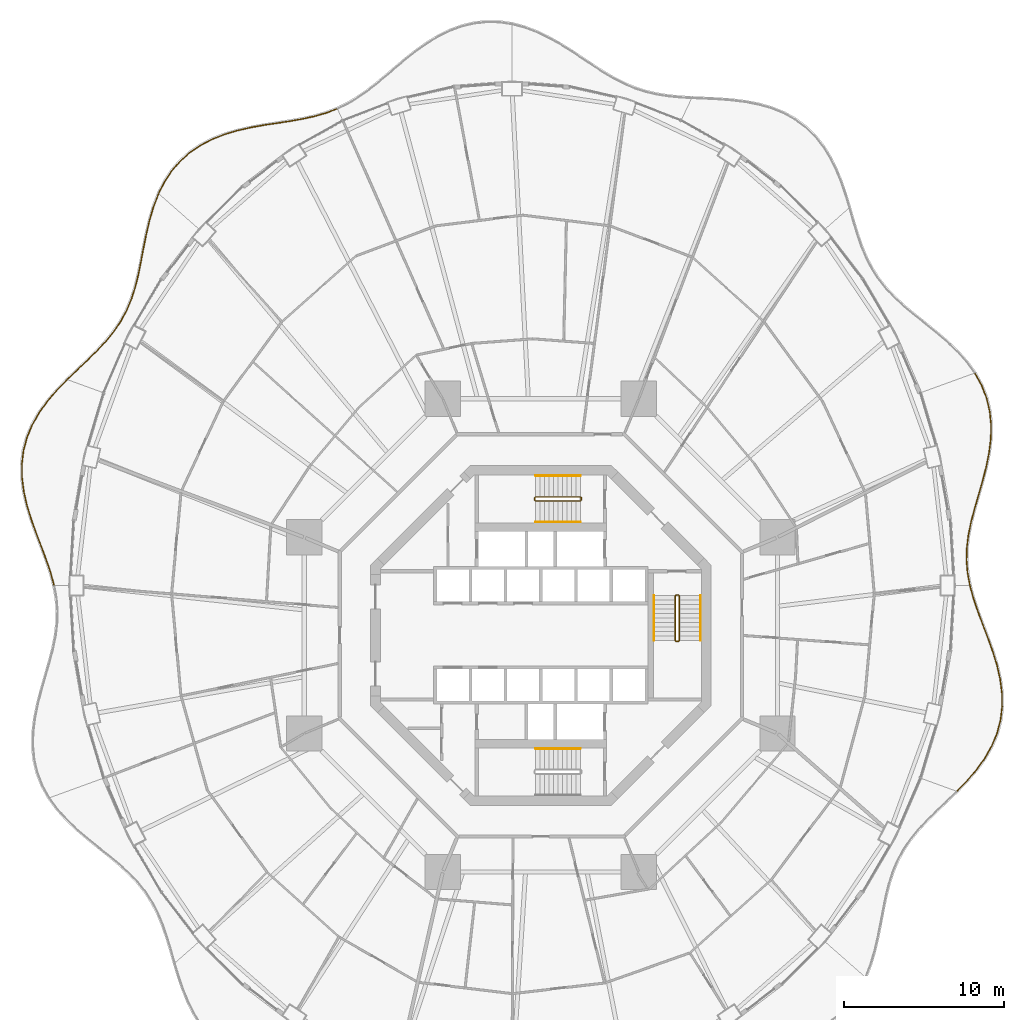
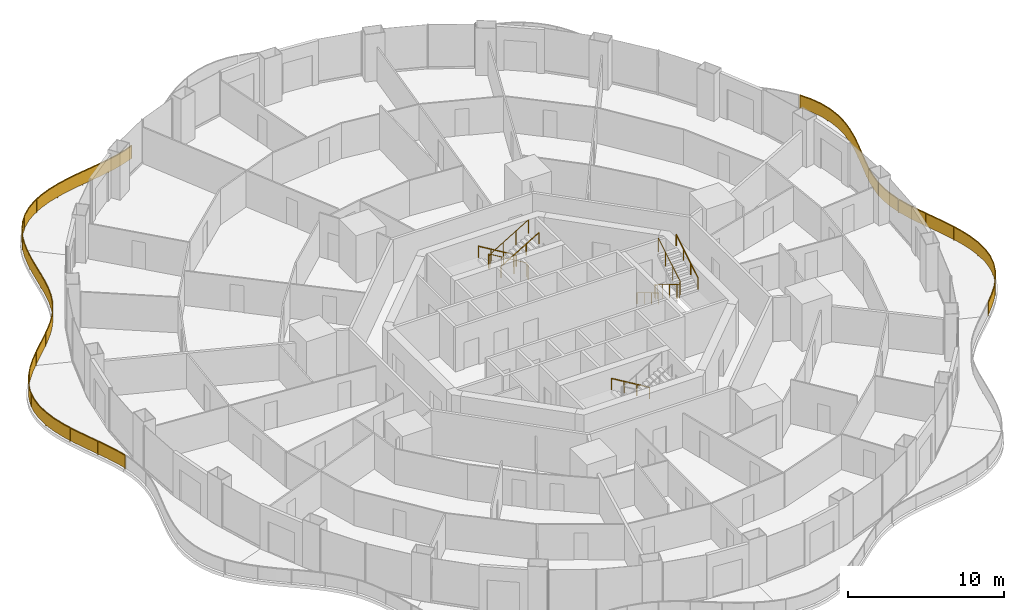
# One storey, part 21 of 22: 12 railings.
"""IFC4 building model written with IfcOpenShell, lengths in metres."""

from ifc_helpers import new_model, si_unit, direction, frame, origin, origin_2d, place, context, subcontext, project, spatial, polyline, rectangle, circle, outline, extrude, material, type_object, element, save


model = new_model("IFC4")

# Units and contexts
model_context = context("Model", 3, precision=1e-05, world=origin(), true_north=direction((0.0, 1.0)))
body_context = subcontext(model_context, "Body", "Model", "MODEL_VIEW")
ifc_project = project(units=[si_unit("LENGTHUNIT", "METRE"), si_unit("AREAUNIT", "SQUARE_METRE"), si_unit("VOLUMEUNIT", "CUBIC_METRE"), si_unit("PLANEANGLEUNIT", "RADIAN"), si_unit("MASSUNIT", "GRAM", prefix="KILO")], contexts=[model_context])

# Site, building, storey
site_placement = place(None, origin())
site = spatial("IfcSite", under=ifc_project, at=site_placement, CompositionType="ELEMENT")
building_placement = place(site_placement, origin())
building = spatial("IfcBuilding", under=site, at=building_placement, Name="Nagisa Residences", CompositionType="ELEMENT")
storey_placement = place(building_placement, frame((0.0, 0.0, 80.699951171875)))
storey = spatial("IfcBuildingStorey", under=building, at=storey_placement, Name="L19", CompositionType="ELEMENT", Elevation=80.699951171875)

# Railings
ifc_material_1 = material(Name="Stainless steel 316", Category="steel")
railing_type_1 = type_object("IfcRailingType", Name="BALCONY GUARD 1100", PredefinedType="BALUSTRADE", material=ifc_material_1)
railing_1_placement = place(storey_placement, frame((26.79345703125, 3.15234375, 0.0)))
element("IfcRailing", 1, at=railing_1_placement, inside=storey, type_object=railing_type_1, Name="guard:L19:bal00-0", PredefinedType="BALUSTRADE", context=body_context, shape_type="SweptSolid", body=[
    extrude(outline(polyline([(-0.162353515625, 0.743408203125), (-0.024658203125, -0.004638671875), (0.024658203125, 0.004638671875), (-0.112548828125, 0.749755859375), (-0.17626953125, 1.533447265625), (-0.156982421875, 2.32080078125), (-0.058837890625, 3.11865234375), (0.10693359375, 3.931884765625), (0.32470703125, 4.749267578125), (0.570068359375, 5.599609375), (0.819580078125, 6.4677734375), (1.047119140625, 7.349609375), (1.22705078125, 8.239501953125), (1.3388671875, 9.115966796875), (1.35693359375, 9.997314453125), (1.26953125, 10.860107421875), (1.069091796875, 11.695556640625), (0.75390625, 12.4951171875), (0.3515625, 13.211669921875), (0.30810546875, 13.187255859375), (0.70849609375, 12.4736328125), (1.021240234375, 11.680419921875), (1.22021484375, 10.851806640625), (1.306640625, 9.995361328125), (1.2890625, 9.119873046875), (1.177734375, 8.247802734375), (0.998291015625, 7.36083984375), (0.771240234375, 6.48095703125), (0.522216796875, 5.61328125), (0.2763671875, 4.762451171875), (0.05810546875, 3.943115234375), (-0.108154296875, 3.126953125), (-0.206787109375, 2.32470703125), (-0.2265625, 1.531982421875), (-0.162353515625, 0.743408203125)])), frame((0.0, 0.0, 1.050048828125)), (0.0, 0.0, 1.0), 0.050048828125),
    extrude(outline(polyline([(-0.144287109375, 0.74560546875), (-0.0068359375, -0.001220703125), (0.0068359375, 0.001220703125), (-0.130615234375, 0.74755859375), (-0.1943359375, 1.532958984375), (-0.1748046875, 2.322265625), (-0.07666015625, 3.12158203125), (0.08935546875, 3.935791015625), (0.307373046875, 4.75390625), (0.552978515625, 5.6044921875), (0.80224609375, 6.472412109375), (1.029541015625, 7.353759765625), (1.209228515625, 8.242431640625), (1.321044921875, 9.117431640625), (1.3388671875, 9.99658203125), (1.251708984375, 10.857177734375), (1.0517578125, 11.690185546875), (0.737548828125, 12.4873046875), (0.3359375, 13.202880859375), (0.32373046875, 13.196044921875), (0.724853515625, 12.4814453125), (1.03857421875, 11.685791015625), (1.238037109375, 10.854736328125), (1.32470703125, 9.99609375), (1.306884765625, 9.118408203125), (1.195556640625, 8.244873046875), (1.015869140625, 7.356689453125), (0.78857421875, 6.476318359375), (0.539306640625, 5.6083984375), (0.293701171875, 4.7578125), (0.07568359375, 3.939208984375), (-0.09033203125, 3.1240234375), (-0.18896484375, 2.3232421875), (-0.20849609375, 1.532470703125), (-0.144287109375, 0.74560546875)])), frame((0.0, 0.0, 0.06005859375)), (0.0, 0.0, 1.0), 0.989990234375),
    extrude(rectangle(XDim=0.0400390625, YDim=0.0400390625, at=origin_2d()), origin(), (0.0, 0.0, 1.0), 1.050048828125),
    extrude(rectangle(XDim=0.0400390625, YDim=0.0400390625, at=origin_2d()), frame((-0.183837890625, 2.24853515625, 0.0)), (0.0, 0.0, 1.0), 1.050048828125),
    extrude(rectangle(XDim=0.0400390625, YDim=0.0400390625, at=origin_2d()), frame((0.224609375, 4.470703125, 0.0)), (0.0, 0.0, 1.0), 1.050048828125),
    extrude(rectangle(XDim=0.0400390625, YDim=0.0400390625, at=origin_2d()), frame((0.840576171875, 6.649169921875, 0.0)), (0.0, 0.0, 1.0), 1.050048828125),
    extrude(rectangle(XDim=0.0400390625, YDim=0.0400390625, at=origin_2d()), frame((1.281982421875, 8.86669921875, 0.0)), (0.0, 0.0, 1.0), 1.050048828125),
    extrude(rectangle(XDim=0.0400390625, YDim=0.0400390625, at=origin_2d()), frame((1.182373046875, 11.116455078125, 0.0)), (0.0, 0.0, 1.0), 1.050048828125),
    extrude(rectangle(XDim=0.0400390625, YDim=0.0400390625, at=origin_2d()), frame((0.329833984375, 13.199462890625, 0.0)), (0.0, 0.0, 1.0), 1.050048828125),
])
railing_2_placement = place(storey_placement, frame((-12.743408203125, 32.88525390625, 0.0)))
element("IfcRailing", 2, at=railing_2_placement, inside=storey, type_object=railing_type_1, Name="guard:L19:bal05-0", PredefinedType="BALUSTRADE", context=body_context, shape_type="SweptSolid", body=[
    extrude(outline(polyline([(-0.641357421875, -0.2705078125), (0.0087890625, -0.0234375), (-0.0087890625, 0.0234375), (-0.657470703125, -0.22314453125), (-1.37744140625, -0.4326171875), (-2.13232421875, -0.599853515625), (-2.91943359375, -0.73876953125), (-3.73291015625, -0.864990234375), (-4.55126953125, -0.986572265625), (-5.390625, -1.1396484375), (-6.22412109375, -1.3310546875), (-7.037841796875, -1.575927734375), (-7.817138671875, -1.885986328125), (-8.536376953125, -2.2587890625), (-9.207763671875, -2.7197265625), (-9.809814453125, -3.2587890625), (-10.3369140625, -3.8720703125), (-10.7861328125, -4.55224609375), (-11.136962890625, -5.24755859375), (-11.092041015625, -5.27001953125), (-10.74267578125, -4.57763671875), (-10.296875, -3.90234375), (-9.774169921875, -3.2939453125), (-9.177001953125, -2.75927734375), (-8.510498046875, -2.3017578125), (-7.796142578125, -1.931396484375), (-7.021240234375, -1.623291015625), (-6.21142578125, -1.37939453125), (-5.38037109375, -1.1884765625), (-4.54296875, -1.035888671875), (-3.7255859375, -0.914306640625), (-2.9111328125, -0.7880859375), (-2.12255859375, -0.649169921875), (-1.365234375, -0.48095703125), (-0.641357421875, -0.2705078125)])), frame((0.0, 0.0, 1.050048828125)), (0.0, 0.0, 1.0), 0.050048828125),
    extrude(outline(polyline([(-0.647216796875, -0.25341796875), (0.00244140625, -0.006591796875), (-0.00244140625, 0.006591796875), (-0.651611328125, -0.240234375), (-1.373046875, -0.449951171875), (-2.12890625, -0.61767578125), (-2.91650390625, -0.756591796875), (-3.730224609375, -0.8828125), (-4.54833984375, -1.00439453125), (-5.386962890625, -1.1572265625), (-6.219482421875, -1.348388671875), (-7.03173828125, -1.593017578125), (-7.8095703125, -1.90234375), (-8.527099609375, -2.274169921875), (-9.19677734375, -2.73388671875), (-9.797119140625, -3.271484375), (-10.322509765625, -3.883056640625), (-10.7705078125, -4.5615234375), (-11.120849609375, -5.255615234375), (-11.108154296875, -5.261962890625), (-10.75830078125, -4.568359375), (-10.311279296875, -3.891357421875), (-9.786865234375, -3.28125), (-9.18798828125, -2.7451171875), (-8.519775390625, -2.286376953125), (-7.8037109375, -1.9150390625), (-7.02734375, -1.606201171875), (-6.216064453125, -1.362060546875), (-5.384033203125, -1.1708984375), (-4.5458984375, -1.01806640625), (-3.728271484375, -0.896484375), (-2.9140625, -0.770263671875), (-2.1259765625, -0.63134765625), (-1.36962890625, -0.463623046875), (-0.647216796875, -0.25341796875)])), frame((0.0, 0.0, 0.06005859375)), (0.0, 0.0, 1.0), 0.989990234375),
    extrude(rectangle(XDim=0.0400390625, YDim=0.0400390625, at=origin_2d()), origin(), (0.0, 0.0, 1.0), 1.050048828125),
    extrude(rectangle(XDim=0.0400390625, YDim=0.0400390625, at=origin_2d()), frame((-2.054931640625, -0.6083984375, 0.0)), (0.0, 0.0, 1.0), 1.050048828125),
    extrude(rectangle(XDim=0.0400390625, YDim=0.0400390625, at=origin_2d()), frame((-4.173095703125, -0.95556640625, 0.0)), (0.0, 0.0, 1.0), 1.050048828125),
    extrude(rectangle(XDim=0.0400390625, YDim=0.0400390625, at=origin_2d()), frame((-6.27734375, -1.373291015625, 0.0)), (0.0, 0.0, 1.0), 1.050048828125),
    extrude(rectangle(XDim=0.0400390625, YDim=0.0400390625, at=origin_2d()), frame((-8.272705078125, -2.150390625, 0.0)), (0.0, 0.0, 1.0), 1.050048828125),
    extrude(rectangle(XDim=0.0400390625, YDim=0.0400390625, at=origin_2d()), frame((-9.95361328125, -3.46435546875, 0.0)), (0.0, 0.0, 1.0), 1.050048828125),
    extrude(rectangle(XDim=0.0400390625, YDim=0.0400390625, at=origin_2d()), frame((-11.114501953125, -5.2587890625, 0.0)), (0.0, 0.0, 1.0), 1.050048828125),
])
railing_3_placement = place(storey_placement, frame((-23.888671875, 27.5556640625, 0.0)))
element("IfcRailing", 3, at=railing_3_placement, inside=storey, type_object=railing_type_1, Name="guard:L19:bal06-0", PredefinedType="BALUSTRADE", context=body_context, shape_type="SweptSolid", body=[
    extrude(outline(polyline([(-0.274658203125, -0.783447265625), (0.0234375, -0.009033203125), (-0.0234375, 0.009033203125), (-0.322021484375, -0.767333984375), (-0.574951171875, -1.618896484375), (-0.7783203125, -2.486083984375), (-0.950927734375, -3.352783203125), (-1.112060546875, -4.204833984375), (-1.2734375, -5.017822265625), (-1.471435546875, -5.807861328125), (-1.713134765625, -6.5576171875), (-2.01220703125, -7.266357421875), (-2.376708984375, -7.936279296875), (-2.802490234375, -8.56005859375), (-3.30078125, -9.171630859375), (-3.8564453125, -9.767578125), (-4.456298828125, -10.3583984375), (-5.082763671875, -10.955078125), (-5.68359375, -11.533935546875), (-5.64892578125, -11.570068359375), (-5.048095703125, -10.9912109375), (-4.421630859375, -10.39453125), (-3.82080078125, -9.80224609375), (-3.26318359375, -9.204345703125), (-2.762451171875, -8.58984375), (-2.333740234375, -7.962646484375), (-1.96728515625, -7.288330078125), (-1.666259765625, -6.5751953125), (-1.423095703125, -5.821533203125), (-1.224609375, -5.028564453125), (-1.062744140625, -4.214599609375), (-0.901611328125, -3.362548828125), (-0.7294921875, -2.496826171875), (-0.526611328125, -1.631591796875), (-0.274658203125, -0.783447265625)])), frame((0.0, 0.0, 1.050048828125)), (0.0, 0.0, 1.0), 0.050048828125),
    extrude(outline(polyline([(-0.291748046875, -0.777587890625), (0.006591796875, -0.00244140625), (-0.006591796875, 0.00244140625), (-0.304931640625, -0.773193359375), (-0.5576171875, -1.62353515625), (-0.7607421875, -2.489990234375), (-0.93310546875, -3.3564453125), (-1.09423828125, -4.20849609375), (-1.255859375, -5.021728515625), (-1.4541015625, -5.812744140625), (-1.6962890625, -6.56396484375), (-1.99609375, -7.2744140625), (-2.361083984375, -7.94580078125), (-2.7880859375, -8.57080078125), (-3.287353515625, -9.183349609375), (-3.84375, -9.780029296875), (-4.44384765625, -10.371337890625), (-5.0703125, -10.968017578125), (-5.671142578125, -11.546875), (-5.661376953125, -11.55712890625), (-5.060546875, -10.978271484375), (-4.43408203125, -10.381591796875), (-3.83349609375, -9.789794921875), (-3.276611328125, -9.192626953125), (-2.77685546875, -8.5791015625), (-2.349365234375, -7.953125), (-1.9833984375, -7.2802734375), (-1.68310546875, -6.56884765625), (-1.4404296875, -5.816650390625), (-1.2421875, -5.024658203125), (-1.08056640625, -4.2109375), (-0.91943359375, -3.35888671875), (-0.7470703125, -2.492919921875), (-0.5439453125, -1.626953125), (-0.291748046875, -0.777587890625)])), frame((0.0, 0.0, 0.06005859375)), (0.0, 0.0, 1.0), 0.989990234375),
    extrude(rectangle(XDim=0.0400390625, YDim=0.0400390625, at=origin_2d()), origin(), (0.0, 0.0, 1.0), 1.050048828125),
    extrude(rectangle(XDim=0.0400390625, YDim=0.0400390625, at=origin_2d()), frame((-0.662353515625, -2.10107421875, 0.0)), (0.0, 0.0, 1.0), 1.050048828125),
    extrude(rectangle(XDim=0.0400390625, YDim=0.0400390625, at=origin_2d()), frame((-1.09814453125, -4.26318359375, 0.0)), (0.0, 0.0, 1.0), 1.050048828125),
    extrude(rectangle(XDim=0.0400390625, YDim=0.0400390625, at=origin_2d()), frame((-1.63623046875, -6.400146484375, 0.0)), (0.0, 0.0, 1.0), 1.050048828125),
    extrude(rectangle(XDim=0.0400390625, YDim=0.0400390625, at=origin_2d()), frame((-2.63427734375, -8.35791015625, 0.0)), (0.0, 0.0, 1.0), 1.050048828125),
    extrude(rectangle(XDim=0.0400390625, YDim=0.0400390625, at=origin_2d()), frame((-4.078125, -10.02099609375, 0.0)), (0.0, 0.0, 1.0), 1.050048828125),
    extrude(rectangle(XDim=0.0400390625, YDim=0.0400390625, at=origin_2d()), frame((-5.666259765625, -11.552001953125, 0.0)), (0.0, 0.0, 1.0), 1.050048828125),
])
railing_4_placement = place(storey_placement, frame((-29.6103515625, 15.9501953125, 0.0)))
element("IfcRailing", 4, at=railing_4_placement, inside=storey, type_object=railing_type_1, Name="guard:L19:bal07-0", PredefinedType="BALUSTRADE", context=body_context, shape_type="SweptSolid", body=[
    extrude(outline(polyline([(-0.58544921875, -0.638671875), (0.01806640625, -0.017333984375), (-0.01806640625, 0.017333984375), (-0.62255859375, -0.60498046875), (-1.213623046875, -1.29345703125), (-1.73779296875, -2.018310546875), (-2.1748046875, -2.780517578125), (-2.508056640625, -3.577880859375), (-2.72509765625, -4.392822265625), (-2.828125, -5.2451171875), (-2.817626953125, -6.114013671875), (-2.704345703125, -6.99072265625), (-2.50439453125, -7.867431640625), (-2.23779296875, -8.722900390625), (-1.931884765625, -9.57958984375), (-1.61181640625, -10.420166015625), (-1.303466796875, -11.24365234375), (-1.03076171875, -12.05078125), (-0.824951171875, -12.804931640625), (-0.776611328125, -12.791748046875), (-0.98291015625, -12.0361328125), (-1.256103515625, -11.22705078125), (-1.56494140625, -10.402587890625), (-1.885009765625, -9.5625), (-2.1904296875, -8.707275390625), (-2.4560546875, -7.854248046875), (-2.655029296875, -6.98193359375), (-2.767822265625, -6.110595703125), (-2.77783203125, -5.248046875), (-2.67578125, -4.402099609375), (-2.460693359375, -3.593994140625), (-2.1298828125, -2.802490234375), (-1.69580078125, -2.045654296875), (-1.174072265625, -1.32470703125), (-0.58544921875, -0.638671875)])), frame((0.0, 0.0, 1.050048828125)), (0.0, 0.0, 1.0), 0.050048828125),
    extrude(outline(polyline([(-0.598876953125, -0.62646484375), (0.005126953125, -0.0048828125), (-0.005126953125, 0.0048828125), (-0.609130859375, -0.6171875), (-1.199462890625, -1.3046875), (-1.72265625, -2.028076171875), (-2.15869140625, -2.788330078125), (-2.490966796875, -3.583740234375), (-2.707275390625, -4.396240234375), (-2.81005859375, -5.24609375), (-2.7998046875, -6.11279296875), (-2.6865234375, -6.987548828125), (-2.487060546875, -7.862548828125), (-2.220703125, -8.71728515625), (-1.9150390625, -9.573486328125), (-1.594970703125, -10.413818359375), (-1.286376953125, -11.23779296875), (-1.013427734375, -12.04541015625), (-0.8076171875, -12.80029296875), (-0.7939453125, -12.79638671875), (-1.000244140625, -12.04150390625), (-1.273193359375, -11.23291015625), (-1.581787109375, -10.408935546875), (-1.90185546875, -9.568603515625), (-2.20751953125, -8.712890625), (-2.473388671875, -7.859130859375), (-2.6728515625, -6.985107421875), (-2.78564453125, -6.11181640625), (-2.7958984375, -5.2470703125), (-2.693603515625, -4.398681640625), (-2.477783203125, -3.588134765625), (-2.14599609375, -2.794677734375), (-1.7109375, -2.035888671875), (-1.188232421875, -1.3134765625), (-0.598876953125, -0.62646484375)])), frame((0.0, 0.0, 0.06005859375)), (0.0, 0.0, 1.0), 0.989990234375),
    extrude(rectangle(XDim=0.0400390625, YDim=0.0400390625, at=origin_2d()), origin(), (0.0, 0.0, 1.0), 1.050048828125),
    extrude(rectangle(XDim=0.0400390625, YDim=0.0400390625, at=origin_2d()), frame((-1.5185546875, -1.7578125, 0.0)), (0.0, 0.0, 1.0), 1.050048828125),
    extrude(rectangle(XDim=0.0400390625, YDim=0.0400390625, at=origin_2d()), frame((-2.549072265625, -3.8291015625, 0.0)), (0.0, 0.0, 1.0), 1.050048828125),
    extrude(rectangle(XDim=0.0400390625, YDim=0.0400390625, at=origin_2d()), frame((-2.79052734375, -6.12939453125, 0.0)), (0.0, 0.0, 1.0), 1.050048828125),
    extrude(rectangle(XDim=0.0400390625, YDim=0.0400390625, at=origin_2d()), frame((-2.31201171875, -8.400634765625, 0.0)), (0.0, 0.0, 1.0), 1.050048828125),
    extrude(rectangle(XDim=0.0400390625, YDim=0.0400390625, at=origin_2d()), frame((-1.522216796875, -10.58837890625, 0.0)), (0.0, 0.0, 1.0), 1.050048828125),
    extrude(rectangle(XDim=0.0400390625, YDim=0.0400390625, at=origin_2d()), frame((-0.80078125, -12.79833984375, 0.0)), (0.0, 0.0, 1.0), 1.050048828125),
])
railing_5_placement = place(storey_placement, frame((26.01025390625, -9.71484375, 0.0)))
element("IfcRailing", 5, at=railing_5_placement, inside=storey, type_object=railing_type_1, Name="guard:L19:bal15-0", PredefinedType="BALUSTRADE", context=body_context, shape_type="SweptSolid", body=[
    extrude(outline(polyline([(0.58544921875, 0.638671875), (-0.01806640625, 0.017333984375), (0.01806640625, -0.017333984375), (0.62255859375, 0.60498046875), (1.2138671875, 1.29345703125), (1.73779296875, 2.018310546875), (2.1748046875, 2.780517578125), (2.50830078125, 3.577880859375), (2.72509765625, 4.392822265625), (2.828125, 5.2451171875), (2.817626953125, 6.114013671875), (2.70458984375, 6.99072265625), (2.504638671875, 7.867431640625), (2.23779296875, 8.72314453125), (1.931884765625, 9.57958984375), (1.61181640625, 10.420166015625), (1.303466796875, 11.24365234375), (1.031005859375, 12.051025390625), (0.8251953125, 12.804931640625), (0.77685546875, 12.791748046875), (0.983154296875, 12.036376953125), (1.256103515625, 11.22705078125), (1.56494140625, 10.402587890625), (1.885009765625, 9.5625), (2.1904296875, 8.70703125), (2.456298828125, 7.854248046875), (2.6552734375, 6.98193359375), (2.767822265625, 6.110595703125), (2.77783203125, 5.248046875), (2.67578125, 4.402099609375), (2.4609375, 3.593994140625), (2.1298828125, 2.802490234375), (1.69580078125, 2.045654296875), (1.17431640625, 1.32470703125), (0.58544921875, 0.638671875)])), frame((0.0, 0.0, 1.050048828125)), (0.0, 0.0, 1.0), 0.050048828125),
    extrude(outline(polyline([(0.598876953125, 0.62646484375), (-0.005126953125, 0.0048828125), (0.005126953125, -0.0048828125), (0.609130859375, 0.6171875), (1.19970703125, 1.3046875), (1.72265625, 2.028076171875), (2.15869140625, 2.788330078125), (2.4912109375, 3.583740234375), (2.707275390625, 4.396240234375), (2.81005859375, 5.24609375), (2.7998046875, 6.11279296875), (2.686767578125, 6.987548828125), (2.4873046875, 7.862548828125), (2.220703125, 8.71728515625), (1.9150390625, 9.573486328125), (1.594970703125, 10.413818359375), (1.286376953125, 11.23779296875), (1.013671875, 12.045654296875), (0.807861328125, 12.80029296875), (0.794189453125, 12.79638671875), (1.00048828125, 12.041748046875), (1.273193359375, 11.23291015625), (1.581787109375, 10.408935546875), (1.90185546875, 9.568603515625), (2.20751953125, 8.712890625), (2.4736328125, 7.859130859375), (2.673095703125, 6.985107421875), (2.78564453125, 6.11181640625), (2.7958984375, 5.2470703125), (2.693603515625, 4.398681640625), (2.47802734375, 3.588134765625), (2.14599609375, 2.794677734375), (1.7109375, 2.035888671875), (1.1884765625, 1.3134765625), (0.598876953125, 0.62646484375)])), frame((0.0, 0.0, 0.06005859375)), (0.0, 0.0, 1.0), 0.989990234375),
    extrude(rectangle(XDim=0.0400390625, YDim=0.0400390625, at=origin_2d()), origin(), (0.0, 0.0, 1.0), 1.050048828125),
    extrude(rectangle(XDim=0.0400390625, YDim=0.0400390625, at=origin_2d()), frame((1.5185546875, 1.7578125, 0.0)), (0.0, 0.0, 1.0), 1.050048828125),
    extrude(rectangle(XDim=0.0400390625, YDim=0.0400390625, at=origin_2d()), frame((2.54931640625, 3.828857421875, 0.0)), (0.0, 0.0, 1.0), 1.050048828125),
    extrude(rectangle(XDim=0.0400390625, YDim=0.0400390625, at=origin_2d()), frame((2.79052734375, 6.129150390625, 0.0)), (0.0, 0.0, 1.0), 1.050048828125),
    extrude(rectangle(XDim=0.0400390625, YDim=0.0400390625, at=origin_2d()), frame((2.312255859375, 8.400390625, 0.0)), (0.0, 0.0, 1.0), 1.050048828125),
    extrude(rectangle(XDim=0.0400390625, YDim=0.0400390625, at=origin_2d()), frame((1.522216796875, 10.588134765625, 0.0)), (0.0, 0.0, 1.0), 1.050048828125),
    extrude(rectangle(XDim=0.0400390625, YDim=0.0400390625, at=origin_2d()), frame((0.801025390625, 12.79833984375, 0.0)), (0.0, 0.0, 1.0), 1.050048828125),
])
ifc_material_2 = material(Name="Stainless steel", Category="steel")
railing_type_2 = type_object("IfcRailingType", Name="Stair guard 1100", PredefinedType="GUARDRAIL", material=ifc_material_2)
railing_6_placement = place(storey_placement, frame((8.599609375, 2.52490234375, 0.0)))
element("IfcRailing", 6, at=railing_6_placement, inside=storey, type_object=railing_type_2, Name="L19 ST-E stair guard 1", PredefinedType="GUARDRAIL", context=body_context, shape_type="SweptSolid", body=[
    extrude(circle(Radius=0.02392578125, at=origin_2d()), frame((0.0, 0.0, 1.076171875), z_axis=(-1.0, 0.0, 0.0), x_axis=(0.0, -1.0, 0.0)), (0.0, 0.0, 1.0), 0.14990234375),
    extrude(circle(Radius=0.02392578125, at=origin_2d()), frame((-0.14990234375, 0.0, 1.076171875), z_axis=(-0.27434429532, -0.273006030465, 0.922064485248), x_axis=(0.705375805398, -0.708833529934, 0.0)), (0.0, 0.0, 1.0), 0.182373046875),
    extrude(circle(Radius=0.02392578125, at=origin_2d()), frame((-0.199951171875, -0.0498046875, 1.244140625), z_axis=(0.0, -0.857242210791, 0.514913383045), x_axis=(1.0, 0.0, 0.0)), (0.0, 0.0, 1.0), 3.266357421875),
    extrude(circle(Radius=0.02392578125, at=origin_2d()), frame((-0.199951171875, -2.849853515625, 2.92626953125), z_axis=(0.707106781187, -0.707106781187, 0.0), x_axis=(0.707106781187, 0.707106781187, 0.0)), (0.0, 0.0, 1.0), 0.07080078125),
    extrude(circle(Radius=0.02392578125, at=origin_2d()), frame((-0.14990234375, -2.89990234375, 2.92626953125), z_axis=(1.0, 0.0, 0.0), x_axis=(0.0, 1.0, 0.0)), (0.0, 0.0, 1.0), 0.14990234375),
    extrude(circle(Radius=0.02392578125, at=origin_2d()), frame((0.0, -2.89990234375, 2.92626953125), z_axis=(0.274243871929, 0.274243871929, 0.92172696468), x_axis=(-0.707106781187, 0.707106781187, 0.0)), (0.0, 0.0, 1.0), 0.1826171875),
    extrude(circle(Radius=0.02392578125, at=origin_2d()), frame((0.050048828125, -2.849853515625, 3.09423828125), z_axis=(0.0, 0.857275202839, 0.514858452973), x_axis=(-1.0, 0.0, 0.0)), (0.0, 0.0, 1.0), 3.26611328125),
    extrude(circle(Radius=0.02099609375, at=origin_2d()), origin(), (0.0, 0.0, 1.0), 1.052001953125),
    extrude(circle(Radius=0.02099609375, at=origin_2d()), frame((-0.14990234375, 0.0, 0.0)), (0.0, 0.0, 1.0), 1.052001953125),
    extrude(circle(Radius=0.02099609375, at=origin_2d()), frame((-0.199951171875, -0.0498046875, 0.168212890625)), (0.0, 0.0, 1.0), 1.052001953125),
    extrude(circle(Radius=0.02099609375, at=origin_2d()), frame((-0.199951171875, -0.983154296875, 0.728759765625)), (0.0, 0.0, 1.0), 1.052001953125),
    extrude(circle(Radius=0.02099609375, at=origin_2d()), frame((-0.199951171875, -1.91650390625, 1.28955078125)), (0.0, 0.0, 1.0), 1.052001953125),
    extrude(circle(Radius=0.02099609375, at=origin_2d()), frame((-0.199951171875, -2.849853515625, 1.85009765625)), (0.0, 0.0, 1.0), 1.052001953125),
    extrude(circle(Radius=0.02099609375, at=origin_2d()), frame((-0.14990234375, -2.89990234375, 1.85009765625)), (0.0, 0.0, 1.0), 1.052001953125),
    extrude(circle(Radius=0.02099609375, at=origin_2d()), frame((0.0, -2.89990234375, 1.85009765625)), (0.0, 0.0, 1.0), 1.052001953125),
    extrude(circle(Radius=0.02099609375, at=origin_2d()), frame((0.050048828125, -2.849853515625, 2.018310546875)), (0.0, 0.0, 1.0), 1.052001953125),
    extrude(circle(Radius=0.02099609375, at=origin_2d()), frame((0.050048828125, -1.91650390625, 2.578857421875)), (0.0, 0.0, 1.0), 1.052001953125),
    extrude(circle(Radius=0.02099609375, at=origin_2d()), frame((0.050048828125, -0.983154296875, 3.139404296875)), (0.0, 0.0, 1.0), 1.052001953125),
    extrude(circle(Radius=0.02099609375, at=origin_2d()), frame((0.050048828125, -0.0498046875, 3.699951171875)), (0.0, 0.0, 1.0), 1.052001953125),
])
railing_7_placement = place(storey_placement, frame((2.52490234375, 8.44970703125, 0.0)))
element("IfcRailing", 7, at=railing_7_placement, inside=storey, type_object=railing_type_2, Name="L19 ST-N stair guard 1", PredefinedType="GUARDRAIL", context=body_context, shape_type="SweptSolid", body=[
    extrude(circle(Radius=0.02392578125, at=origin_2d()), frame((0.0, 0.0, 1.076171875), z_axis=(0.0, 1.0, 0.0), x_axis=(-1.0, 0.0, 0.0)), (0.0, 0.0, 1.0), 0.14990234375),
    extrude(circle(Radius=0.02392578125, at=origin_2d()), frame((0.0, 0.14990234375, 1.076171875), z_axis=(-0.273006030465, 0.27434429532, 0.922064485248), x_axis=(-0.708833529934, -0.705375805398, 0.0)), (0.0, 0.0, 1.0), 0.182373046875),
    extrude(circle(Radius=0.02392578125, at=origin_2d()), frame((-0.0498046875, 0.199951171875, 1.244140625), z_axis=(-0.857242210791, 0.0, 0.514913383045), x_axis=(0.0, -1.0, 0.0)), (0.0, 0.0, 1.0), 3.266357421875),
    extrude(circle(Radius=0.02392578125, at=origin_2d()), frame((-2.849853515625, 0.199951171875, 2.92626953125), z_axis=(-0.707106781187, -0.707106781187, 0.0), x_axis=(0.707106781187, -0.707106781187, 0.0)), (0.0, 0.0, 1.0), 0.07080078125),
    extrude(circle(Radius=0.02392578125, at=origin_2d()), frame((-2.89990234375, 0.14990234375, 2.92626953125), z_axis=(0.0, -1.0, 0.0), x_axis=(1.0, 0.0, 0.0)), (0.0, 0.0, 1.0), 0.14990234375),
    extrude(circle(Radius=0.02392578125, at=origin_2d()), frame((-2.89990234375, 0.0, 2.92626953125), z_axis=(0.274243871929, -0.274243871929, 0.92172696468), x_axis=(0.707106781187, 0.707106781187, 0.0)), (0.0, 0.0, 1.0), 0.1826171875),
    extrude(circle(Radius=0.02392578125, at=origin_2d()), frame((-2.849853515625, -0.050048828125, 3.09423828125), z_axis=(0.857275202839, 0.0, 0.514858452973), x_axis=(0.0, 1.0, 0.0)), (0.0, 0.0, 1.0), 3.26611328125),
    extrude(circle(Radius=0.02099609375, at=origin_2d()), origin(), (0.0, 0.0, 1.0), 1.052001953125),
    extrude(circle(Radius=0.02099609375, at=origin_2d()), frame((0.0, 0.14990234375, 0.0)), (0.0, 0.0, 1.0), 1.052001953125),
    extrude(circle(Radius=0.02099609375, at=origin_2d()), frame((-0.0498046875, 0.199951171875, 0.168212890625)), (0.0, 0.0, 1.0), 1.052001953125),
    extrude(circle(Radius=0.02099609375, at=origin_2d()), frame((-0.983154296875, 0.199951171875, 0.728759765625)), (0.0, 0.0, 1.0), 1.052001953125),
    extrude(circle(Radius=0.02099609375, at=origin_2d()), frame((-1.91650390625, 0.199951171875, 1.28955078125)), (0.0, 0.0, 1.0), 1.052001953125),
    extrude(circle(Radius=0.02099609375, at=origin_2d()), frame((-2.849853515625, 0.199951171875, 1.85009765625)), (0.0, 0.0, 1.0), 1.052001953125),
    extrude(circle(Radius=0.02099609375, at=origin_2d()), frame((-2.89990234375, 0.14990234375, 1.85009765625)), (0.0, 0.0, 1.0), 1.052001953125),
    extrude(circle(Radius=0.02099609375, at=origin_2d()), frame((-2.89990234375, 0.0, 1.85009765625)), (0.0, 0.0, 1.0), 1.052001953125),
    extrude(circle(Radius=0.02099609375, at=origin_2d()), frame((-2.849853515625, -0.050048828125, 2.018310546875)), (0.0, 0.0, 1.0), 1.052001953125),
    extrude(circle(Radius=0.02099609375, at=origin_2d()), frame((-1.91650390625, -0.050048828125, 2.578857421875)), (0.0, 0.0, 1.0), 1.052001953125),
    extrude(circle(Radius=0.02099609375, at=origin_2d()), frame((-0.983154296875, -0.050048828125, 3.139404296875)), (0.0, 0.0, 1.0), 1.052001953125),
    extrude(circle(Radius=0.02099609375, at=origin_2d()), frame((-0.0498046875, -0.050048828125, 3.699951171875)), (0.0, 0.0, 1.0), 1.052001953125),
])
ifc_material_3 = material(Name="Stainless steel", Category="steel")
railing_type_3 = type_object("IfcRailingType", Name="Stair handrail 900", PredefinedType="HANDRAIL", material=ifc_material_3)
railing_8_placement = place(storey_placement, frame((7.07470703125, 2.47509765625, 0.168212890625)))
element("IfcRailing", 8, at=railing_8_placement, inside=storey, type_object=railing_type_3, Name="L19 ST-E stair handrail 1", PredefinedType="HANDRAIL", context=body_context, shape_type="SweptSolid", body=[
    extrude(circle(Radius=0.02392578125, at=origin_2d()), frame((0.0, 0.0, 0.8759765625), z_axis=(0.0, -0.857242210791, 0.514913383045), x_axis=(1.0, 0.0, 0.0)), (0.0, 0.0, 1.0), 3.266357421875),
    extrude(circle(Radius=0.02099609375, at=origin_2d()), origin(), (0.0, 0.0, 1.0), 0.851806640625),
    extrude(circle(Radius=0.02099609375, at=origin_2d()), frame((0.0, -0.933349609375, 0.560546875)), (0.0, 0.0, 1.0), 0.851806640625),
    extrude(circle(Radius=0.02099609375, at=origin_2d()), frame((0.0, -1.86669921875, 1.121337890625)), (0.0, 0.0, 1.0), 0.851806640625),
    extrude(circle(Radius=0.02099609375, at=origin_2d()), frame((0.0, -2.800048828125, 1.681884765625)), (0.0, 0.0, 1.0), 0.851806640625),
])
railing_9_placement = place(storey_placement, frame((9.974609375, -0.324951171875, 2.018310546875)))
element("IfcRailing", 9, at=railing_9_placement, inside=storey, type_object=railing_type_3, Name="L19 ST-E stair handrail 2", PredefinedType="HANDRAIL", context=body_context, shape_type="SweptSolid", body=[
    extrude(circle(Radius=0.02392578125, at=origin_2d()), frame((0.0, 0.0, 0.8759765625), z_axis=(0.0, 0.857275202839, 0.514858452973), x_axis=(-1.0, 0.0, 0.0)), (0.0, 0.0, 1.0), 3.26611328125),
    extrude(circle(Radius=0.02099609375, at=origin_2d()), origin(), (0.0, 0.0, 1.0), 0.851806640625),
    extrude(circle(Radius=0.02099609375, at=origin_2d()), frame((0.0, 0.933349609375, 0.560546875)), (0.0, 0.0, 1.0), 0.851806640625),
    extrude(circle(Radius=0.02099609375, at=origin_2d()), frame((0.0, 1.86669921875, 1.12109375)), (0.0, 0.0, 1.0), 0.851806640625),
    extrude(circle(Radius=0.02099609375, at=origin_2d()), frame((0.0, 2.800048828125, 1.681640625)), (0.0, 0.0, 1.0), 0.851806640625),
])
railing_10_placement = place(storey_placement, frame((2.47509765625, 9.974609375, 0.168212890625)))
element("IfcRailing", 10, at=railing_10_placement, inside=storey, type_object=railing_type_3, Name="L19 ST-N stair handrail 1", PredefinedType="HANDRAIL", context=body_context, shape_type="SweptSolid", body=[
    extrude(circle(Radius=0.02392578125, at=origin_2d()), frame((0.0, 0.0, 0.8759765625), z_axis=(-0.857242210791, 0.0, 0.514913383045), x_axis=(0.0, -1.0, 0.0)), (0.0, 0.0, 1.0), 3.266357421875),
    extrude(circle(Radius=0.02099609375, at=origin_2d()), origin(), (0.0, 0.0, 1.0), 0.851806640625),
    extrude(circle(Radius=0.02099609375, at=origin_2d()), frame((-0.933349609375, 0.0, 0.560546875)), (0.0, 0.0, 1.0), 0.851806640625),
    extrude(circle(Radius=0.02099609375, at=origin_2d()), frame((-1.86669921875, 0.0, 1.121337890625)), (0.0, 0.0, 1.0), 0.851806640625),
    extrude(circle(Radius=0.02099609375, at=origin_2d()), frame((-2.800048828125, 0.0, 1.681884765625)), (0.0, 0.0, 1.0), 0.851806640625),
])
railing_11_placement = place(storey_placement, frame((-0.324951171875, 7.07470703125, 2.018310546875)))
element("IfcRailing", 11, at=railing_11_placement, inside=storey, type_object=railing_type_3, Name="L19 ST-N stair handrail 2", PredefinedType="HANDRAIL", context=body_context, shape_type="SweptSolid", body=[
    extrude(circle(Radius=0.02392578125, at=origin_2d()), frame((0.0, 0.0, 0.8759765625), z_axis=(0.857275202839, 0.0, 0.514858452973), x_axis=(0.0, 1.0, 0.0)), (0.0, 0.0, 1.0), 3.26611328125),
    extrude(circle(Radius=0.02099609375, at=origin_2d()), origin(), (0.0, 0.0, 1.0), 0.851806640625),
    extrude(circle(Radius=0.02099609375, at=origin_2d()), frame((0.933349609375, 0.0, 0.560546875)), (0.0, 0.0, 1.0), 0.851806640625),
    extrude(circle(Radius=0.02099609375, at=origin_2d()), frame((1.86669921875, 0.0, 1.12109375)), (0.0, 0.0, 1.0), 0.851806640625),
    extrude(circle(Radius=0.02099609375, at=origin_2d()), frame((2.800048828125, 0.0, 1.681640625)), (0.0, 0.0, 1.0), 0.851806640625),
])
railing_12_placement = place(storey_placement, frame((2.47509765625, -7.07470703125, 0.168212890625)))
element("IfcRailing", 12, at=railing_12_placement, inside=storey, type_object=railing_type_3, Name="L19 ST-S stair handrail 1", PredefinedType="HANDRAIL", context=body_context, shape_type="SweptSolid", body=[
    extrude(circle(Radius=0.02392578125, at=origin_2d()), frame((0.0, 0.0, 0.8759765625), z_axis=(-0.857242210791, 0.0, 0.514913383045), x_axis=(0.0, -1.0, 0.0)), (0.0, 0.0, 1.0), 3.266357421875),
    extrude(circle(Radius=0.02099609375, at=origin_2d()), origin(), (0.0, 0.0, 1.0), 0.851806640625),
    extrude(circle(Radius=0.02099609375, at=origin_2d()), frame((-0.933349609375, 0.0, 0.560546875)), (0.0, 0.0, 1.0), 0.851806640625),
    extrude(circle(Radius=0.02099609375, at=origin_2d()), frame((-1.86669921875, 0.0, 1.121337890625)), (0.0, 0.0, 1.0), 0.851806640625),
    extrude(circle(Radius=0.02099609375, at=origin_2d()), frame((-2.800048828125, 0.0, 1.681884765625)), (0.0, 0.0, 1.0), 0.851806640625),
])

save(model, "model.ifc")
